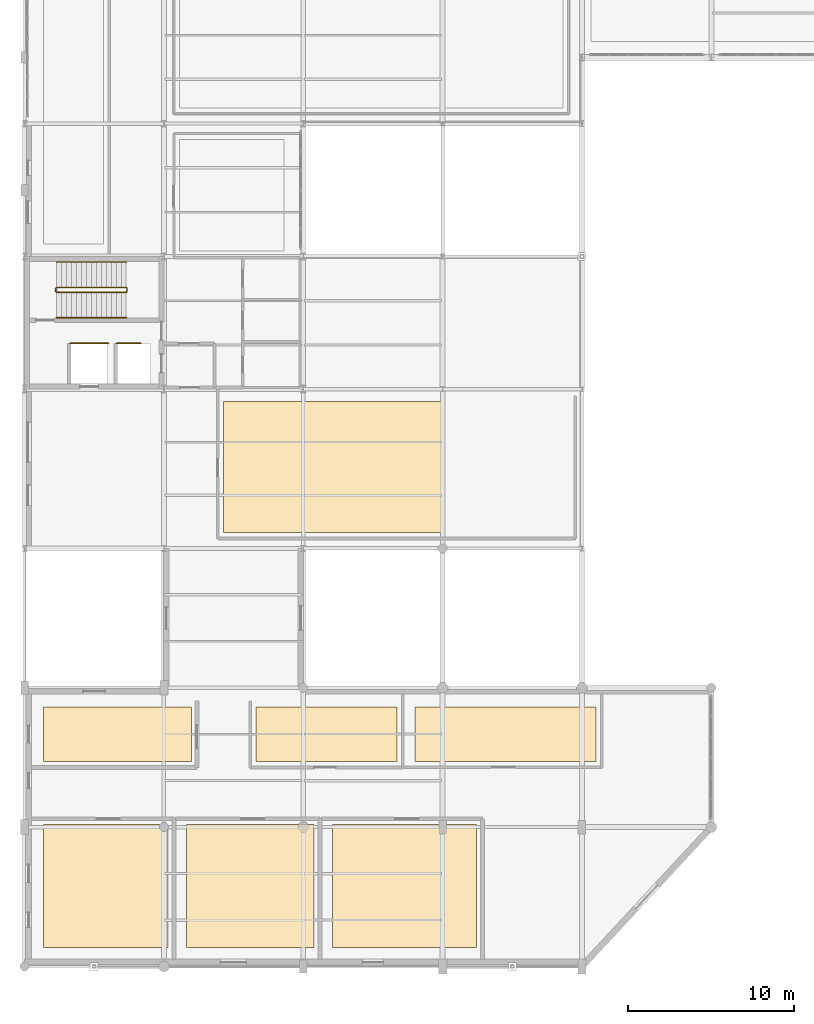
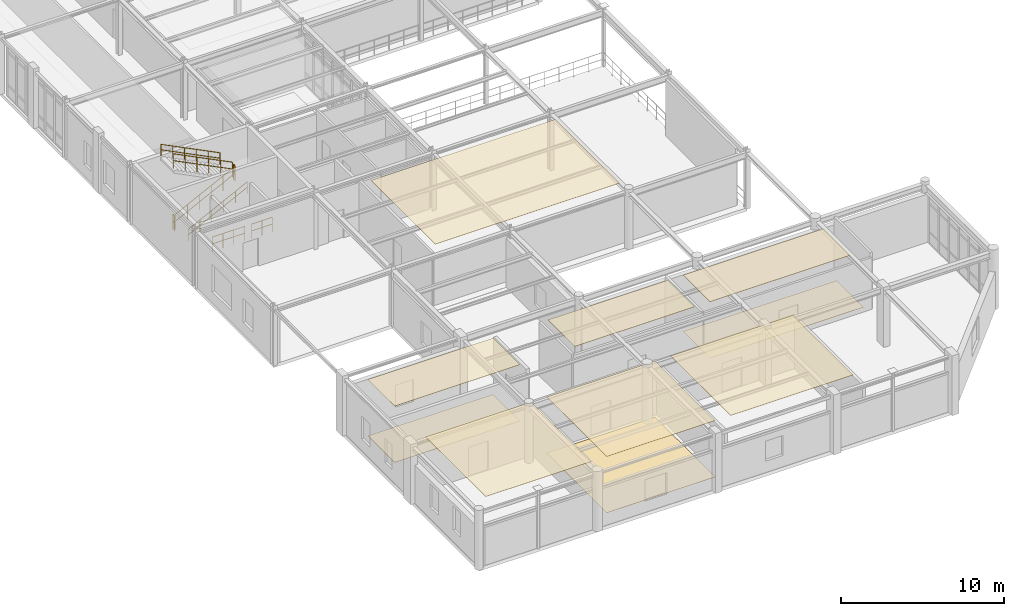
# One storey, part 96 of 106: 10 coverings, 8 railings.
"""IFC4 building model written with IfcOpenShell, lengths in metres."""

from ifc_helpers import new_model, si_unit, derived_unit, direction, frame, origin, origin_2d, place, context, subcontext, project, spatial, polyline, circle, outline, extrude, material, layer, layer_set, type_object, element, save


model = new_model("IFC4")

# Units and contexts
model_context = context("Model", 3, precision=1e-05, world=origin(), true_north=direction((0.0, 1.0)))
body_context = subcontext(model_context, "Body", "Model", "MODEL_VIEW")
ifc_project = project(units=[si_unit("LENGTHUNIT", "METRE"), si_unit("AREAUNIT", "SQUARE_METRE"), si_unit("VOLUMEUNIT", "CUBIC_METRE"), si_unit("PLANEANGLEUNIT", "RADIAN"), si_unit("MASSUNIT", "GRAM", prefix="KILO"), derived_unit("THERMALTRANSMITTANCEUNIT", [(si_unit("POWERUNIT", "WATT"), 1), (si_unit("AREAUNIT", "SQUARE_METRE"), -1), (si_unit("THERMODYNAMICTEMPERATUREUNIT", "KELVIN"), -1)])], contexts=[model_context])

# Site, building, storey
site_placement = place(None, origin())
site = spatial("IfcSite", under=ifc_project, at=site_placement, CompositionType="ELEMENT")
building_placement = place(site_placement, origin())
building = spatial("IfcBuilding", under=site, at=building_placement, Name="Yasenodar Specialist Clinic", CompositionType="ELEMENT")
storey_placement = place(building_placement, frame((0.0, 0.0, 4.5)))
storey = spatial("IfcBuildingStorey", under=building, at=storey_placement, Name="L01", CompositionType="ELEMENT", Elevation=4.5)

# Coverings
ifc_material_1 = material(Name="Hygienic Acoustic Mineral-Fibre Ceiling")
ifc_layer_1 = layer(ifc_material_1, 0.02490234375)
ifc_layer_set_1 = layer_set([ifc_layer_1], Name="Hygienic Acoustic Mineral-Fibre Ceiling")
covering_type_1 = type_object("IfcCoveringType", Name="COV-CEIL-AC", PredefinedType="CEILING", material=ifc_layer_set_1)
covering_1_placement = place(storey_placement, frame((0.0, 0.0, 4.22509765625)))
element("IfcCovering", 1, at=covering_1_placement, inside=storey, type_object=covering_type_1, Name="L01 Digital X-Ray Room 01 Acoustic Ceiling", PredefinedType="CEILING", context=body_context, shape_type="SweptSolid", body=[
    extrude(outline(polyline([(8.64990234375, 1.14990234375), (1.14990234375, 1.14990234375), (1.14990234375, 8.550048828125), (8.64990234375, 8.550048828125), (8.64990234375, 1.14990234375)])), origin(), (0.0, 0.0, 1.0), 0.02490234375),
])
covering_2_placement = place(storey_placement, frame((0.0, 0.0, 4.22509765625)))
element("IfcCovering", 2, at=covering_2_placement, inside=storey, type_object=covering_type_1, Name="L01 Digital X-Ray Room 02 Acoustic Ceiling", PredefinedType="CEILING", context=body_context, shape_type="SweptSolid", body=[
    extrude(outline(polyline([(17.449951171875, 1.14990234375), (9.75, 1.14990234375), (9.75, 8.550048828125), (17.449951171875, 8.550048828125), (17.449951171875, 1.14990234375)])), origin(), (0.0, 0.0, 1.0), 0.02490234375),
])
covering_3_placement = place(storey_placement, frame((0.0, 0.0, 4.22509765625)))
element("IfcCovering", 3, at=covering_3_placement, inside=storey, type_object=covering_type_1, Name="L01 Fluoroscopy Suite Acoustic Ceiling", PredefinedType="CEILING", context=body_context, shape_type="SweptSolid", body=[
    extrude(outline(polyline([(27.25, 1.14990234375), (18.550048828125, 1.14990234375), (18.550048828125, 8.550048828125), (27.25, 8.550048828125), (27.25, 1.14990234375)])), origin(), (0.0, 0.0, 1.0), 0.02490234375),
])
covering_4_placement = place(storey_placement, frame((0.0, 0.0, 4.22509765625)))
element("IfcCovering", 4, at=covering_4_placement, inside=storey, type_object=covering_type_1, Name="L01 Breast Mammography Suite Acoustic Ceiling", PredefinedType="CEILING", context=body_context, shape_type="SweptSolid", body=[
    extrude(outline(polyline([(10.050048828125, 12.35009765625), (1.14990234375, 12.35009765625), (1.14990234375, 15.64990234375), (10.050048828125, 15.64990234375), (10.050048828125, 12.35009765625)])), origin(), (0.0, 0.0, 1.0), 0.02490234375),
])
covering_5_placement = place(storey_placement, frame((0.0, 0.0, 4.22509765625)))
element("IfcCovering", 5, at=covering_5_placement, inside=storey, type_object=covering_type_1, Name="L01 Doppler Ultrasound Suite 01 Acoustic Ceiling", PredefinedType="CEILING", context=body_context, shape_type="SweptSolid", body=[
    extrude(outline(polyline([(22.449951171875, 12.35009765625), (13.949951171875, 12.35009765625), (13.949951171875, 15.64990234375), (22.449951171875, 15.64990234375), (22.449951171875, 12.35009765625)])), origin(), (0.0, 0.0, 1.0), 0.02490234375),
])
covering_6_placement = place(storey_placement, frame((0.0, 0.0, 4.22509765625)))
element("IfcCovering", 6, at=covering_6_placement, inside=storey, type_object=covering_type_1, Name="L01 Doppler Ultrasound Suite 02 Acoustic Ceiling", PredefinedType="CEILING", context=body_context, shape_type="SweptSolid", body=[
    extrude(outline(polyline([(23.550048828125, 12.35009765625), (23.550048828125, 15.64990234375), (33.5, 15.64990234375), (33.5, 12.35009765625), (23.550048828125, 12.35009765625)])), origin(), (0.0, 0.0, 1.0), 0.02490234375),
])
covering_7_placement = place(storey_placement, frame((0.0, 0.0, 4.22509765625)))
element("IfcCovering", 7, at=covering_7_placement, inside=storey, type_object=covering_type_1, Name="L01 Vascular Outpatient Clinic Acoustic Ceiling", PredefinedType="CEILING", context=body_context, shape_type="SweptSolid", body=[
    extrude(outline(polyline([(12.0, 26.14990234375), (12.0, 34.050048828125), (25.10009765625, 34.050048828125), (25.10009765625, 26.14990234375), (12.0, 26.14990234375)])), origin(), (0.0, 0.0, 1.0), 0.02490234375),
])
ifc_material_2 = material(Name="Seamless Epoxy Terrazzo Clinical Flooring")
ifc_layer_2 = layer(ifc_material_2, 0.02001953125)
ifc_layer_set_2 = layer_set([ifc_layer_2], Name="Seamless Epoxy Terrazzo Clinical Flooring")
covering_type_2 = type_object("IfcCoveringType", Name="COV-FLR-TERR", PredefinedType="FLOORING", material=ifc_layer_set_2)
covering_8_placement = place(storey_placement, origin())
element("IfcCovering", 8, at=covering_8_placement, inside=storey, type_object=covering_type_2, Name="L01 Digital X-Ray Room 02 Terrazzo Flooring", PredefinedType="FLOORING", context=body_context, shape_type="SweptSolid", body=[
    extrude(outline(polyline([(17.449951171875, 1.14990234375), (9.75, 1.14990234375), (9.75, 8.550048828125), (17.449951171875, 8.550048828125), (17.449951171875, 1.14990234375)])), origin(), (0.0, 0.0, 1.0), 0.02001953125),
])
covering_9_placement = place(storey_placement, origin())
element("IfcCovering", 9, at=covering_9_placement, inside=storey, type_object=covering_type_2, Name="L01 Breast Mammography Suite Terrazzo Flooring", PredefinedType="FLOORING", context=body_context, shape_type="SweptSolid", body=[
    extrude(outline(polyline([(10.050048828125, 12.35009765625), (1.14990234375, 12.35009765625), (1.14990234375, 15.64990234375), (10.050048828125, 15.64990234375), (10.050048828125, 12.35009765625)])), origin(), (0.0, 0.0, 1.0), 0.02001953125),
])
covering_10_placement = place(storey_placement, origin())
element("IfcCovering", 10, at=covering_10_placement, inside=storey, type_object=covering_type_2, Name="L01 Doppler Ultrasound Suite 02 Terrazzo Flooring", PredefinedType="FLOORING", context=body_context, shape_type="SweptSolid", body=[
    extrude(outline(polyline([(34.449951171875, 12.35009765625), (23.550048828125, 12.35009765625), (23.550048828125, 15.64990234375), (34.449951171875, 15.64990234375), (34.449951171875, 12.35009765625)])), origin(), (0.0, 0.0, 1.0), 0.02001953125),
])

# Railings
ifc_material_3 = material(Name="Steel S355 Painted Guardrail", Category="steel")
railing_type_1 = type_object("IfcRailingType", Name="RL-GRD-1120", PredefinedType="GUARDRAIL", material=ifc_material_3)
railing_1_placement = place(storey_placement, frame((2.75, 37.56005859375, 0.0)))
element("IfcRailing", 11, at=railing_1_placement, inside=storey, type_object=railing_type_1, Name="L01 Core C1 Lift LF-05 Shaft Guardrail", PredefinedType="GUARDRAIL", context=body_context, shape_type="SweptSolid", body=[
    extrude(circle(Radius=0.02392578125, at=origin_2d()), frame((0.0, 0.0, 1.09619140625), z_axis=(1.0, 0.0, 0.0), x_axis=(0.0, 1.0, 0.0)), (0.0, 0.0, 1.0), 2.300048828125),
    extrude(circle(Radius=0.02392578125, at=origin_2d()), frame((0.0, 0.0, 0.58251953125), z_axis=(1.0, 0.0, 0.0), x_axis=(0.0, 1.0, 0.0)), (0.0, 0.0, 1.0), 2.300048828125),
    extrude(circle(Radius=0.02099609375, at=origin_2d()), origin(), (0.0, 0.0, 1.0), 1.072021484375),
    extrude(circle(Radius=0.02099609375, at=origin_2d()), frame((0.7666015625, 0.0, 0.0)), (0.0, 0.0, 1.0), 1.072021484375),
    extrude(circle(Radius=0.02099609375, at=origin_2d()), frame((1.533447265625, 0.0, 0.0)), (0.0, 0.0, 1.0), 1.072021484375),
    extrude(circle(Radius=0.02099609375, at=origin_2d()), frame((2.300048828125, 0.0, 0.0)), (0.0, 0.0, 1.0), 1.072021484375),
])
railing_2_placement = place(storey_placement, frame((5.550048828125, 37.56005859375, 0.0)))
element("IfcRailing", 12, at=railing_2_placement, inside=storey, type_object=railing_type_1, Name="L01 Core C1 Lift LF-01 Shaft Guardrail", PredefinedType="GUARDRAIL", context=body_context, shape_type="SweptSolid", body=[
    extrude(circle(Radius=0.02392578125, at=origin_2d()), frame((0.0, 0.0, 1.09619140625), z_axis=(1.0, 0.0, 0.0), x_axis=(0.0, 1.0, 0.0)), (0.0, 0.0, 1.0), 1.4599609375),
    extrude(circle(Radius=0.02392578125, at=origin_2d()), frame((0.0, 0.0, 0.58251953125), z_axis=(1.0, 0.0, 0.0), x_axis=(0.0, 1.0, 0.0)), (0.0, 0.0, 1.0), 1.4599609375),
    extrude(circle(Radius=0.02099609375, at=origin_2d()), origin(), (0.0, 0.0, 1.0), 1.072021484375),
    extrude(circle(Radius=0.02099609375, at=origin_2d()), frame((0.72998046875, 0.0, 0.0)), (0.0, 0.0, 1.0), 1.072021484375),
    extrude(circle(Radius=0.02099609375, at=origin_2d()), frame((1.4599609375, 0.0, 0.0)), (0.0, 0.0, 1.0), 1.072021484375),
])
ifc_material_4 = material(Name="Steel S355 Painted Stair Guardrail", Category="steel")
railing_type_2 = type_object("IfcRailingType", Name="RL-ST-GRD", PredefinedType="GUARDRAIL", material=ifc_material_4)
railing_3_placement = place(storey_placement, frame((1.929931640625, 40.639892578125, 0.14990234375)))
element("IfcRailing", 13, at=railing_3_placement, inside=storey, type_object=railing_type_2, Name="L01 ST-01 stair guard 1", PredefinedType="GUARDRAIL", context=body_context, shape_type="SweptSolid", body=[
    extrude(circle(Radius=0.02392578125, at=origin_2d()), frame((0.0, 0.0, 1.09619140625), z_axis=(0.894416792377, 0.0, 0.447234392142), x_axis=(0.0, 1.0, 0.0)), (0.0, 0.0, 1.0), 4.69580078125),
    extrude(circle(Radius=0.02392578125, at=origin_2d()), frame((0.0, 0.0, 0.58251953125), z_axis=(0.894416792377, 0.0, 0.447234392142), x_axis=(0.0, 1.0, 0.0)), (0.0, 0.0, 1.0), 4.69580078125),
    extrude(circle(Radius=0.02099609375, at=origin_2d()), origin(), (0.0, 0.0, 1.0), 1.072021484375),
    extrude(circle(Radius=0.02099609375, at=origin_2d()), frame((0.840087890625, 0.0, 0.419921875)), (0.0, 0.0, 1.0), 1.072021484375),
    extrude(circle(Radius=0.02099609375, at=origin_2d()), frame((1.679931640625, 0.0, 0.840087890625)), (0.0, 0.0, 1.0), 1.072021484375),
    extrude(circle(Radius=0.02099609375, at=origin_2d()), frame((2.52001953125, 0.0, 1.260009765625)), (0.0, 0.0, 1.0), 1.072021484375),
    extrude(circle(Radius=0.02099609375, at=origin_2d()), frame((3.35986328125, 0.0, 1.68017578125)), (0.0, 0.0, 1.0), 1.072021484375),
    extrude(circle(Radius=0.02099609375, at=origin_2d()), frame((4.199951171875, 0.0, 2.10009765625)), (0.0, 0.0, 1.0), 1.072021484375),
])
railing_4_placement = place(storey_placement, frame((6.179931640625, 40.68994140625, 2.25)))
element("IfcRailing", 14, at=railing_4_placement, inside=storey, type_object=railing_type_2, Name="L01 ST-01 stair guard 2", PredefinedType="GUARDRAIL", context=body_context, shape_type="SweptSolid", body=[
    extrude(circle(Radius=0.02392578125, at=origin_2d()), frame((0.0, 0.0, 1.09619140625), z_axis=(0.0, 1.0, 0.0), x_axis=(-1.0, 0.0, 0.0)), (0.0, 0.0, 1.0), 0.18994140625),
    extrude(circle(Radius=0.02392578125, at=origin_2d()), frame((0.0, 0.0, 0.58251953125), z_axis=(0.0, 1.0, 0.0), x_axis=(-1.0, 0.0, 0.0)), (0.0, 0.0, 1.0), 0.18994140625),
    extrude(circle(Radius=0.02099609375, at=origin_2d()), origin(), (0.0, 0.0, 1.0), 1.072021484375),
    extrude(circle(Radius=0.02099609375, at=origin_2d()), frame((0.0, 0.18994140625, 0.0)), (0.0, 0.0, 1.0), 1.072021484375),
])
railing_5_placement = place(storey_placement, frame((6.1298828125, 40.929931640625, 2.39990234375)))
element("IfcRailing", 15, at=railing_5_placement, inside=storey, type_object=railing_type_2, Name="L01 ST-01 stair guard 3", PredefinedType="GUARDRAIL", context=body_context, shape_type="SweptSolid", body=[
    extrude(circle(Radius=0.02392578125, at=origin_2d()), frame((0.0, 0.0, 1.09619140625), z_axis=(-0.894416792377, 0.0, 0.447234392142), x_axis=(0.0, -1.0, 0.0)), (0.0, 0.0, 1.0), 4.69580078125),
    extrude(circle(Radius=0.02392578125, at=origin_2d()), frame((0.0, 0.0, 0.58251953125), z_axis=(-0.894416792377, 0.0, 0.447234392142), x_axis=(0.0, -1.0, 0.0)), (0.0, 0.0, 1.0), 4.69580078125),
    extrude(circle(Radius=0.02099609375, at=origin_2d()), origin(), (0.0, 0.0, 1.0), 1.072021484375),
    extrude(circle(Radius=0.02099609375, at=origin_2d()), frame((-0.840087890625, 0.0, 0.419921875)), (0.0, 0.0, 1.0), 1.072021484375),
    extrude(circle(Radius=0.02099609375, at=origin_2d()), frame((-1.679931640625, 0.0, 0.840087890625)), (0.0, 0.0, 1.0), 1.072021484375),
    extrude(circle(Radius=0.02099609375, at=origin_2d()), frame((-2.52001953125, 0.0, 1.260009765625)), (0.0, 0.0, 1.0), 1.072021484375),
    extrude(circle(Radius=0.02099609375, at=origin_2d()), frame((-3.35986328125, 0.0, 1.68017578125)), (0.0, 0.0, 1.0), 1.072021484375),
    extrude(circle(Radius=0.02099609375, at=origin_2d()), frame((-4.199951171875, 0.0, 2.10009765625)), (0.0, 0.0, 1.0), 1.072021484375),
])
railing_6_placement = place(storey_placement, frame((1.8798828125, 40.68994140625, 0.0)))
element("IfcRailing", 16, at=railing_6_placement, inside=storey, type_object=railing_type_2, Name="L01 ST-01 stair guard 4", PredefinedType="GUARDRAIL", context=body_context, shape_type="SweptSolid", body=[
    extrude(circle(Radius=0.02392578125, at=origin_2d()), frame((0.0, 0.0, 1.09619140625), z_axis=(0.0, 1.0, 0.0), x_axis=(-1.0, 0.0, 0.0)), (0.0, 0.0, 1.0), 0.18994140625),
    extrude(circle(Radius=0.02392578125, at=origin_2d()), frame((0.0, 0.0, 0.58251953125), z_axis=(0.0, 1.0, 0.0), x_axis=(-1.0, 0.0, 0.0)), (0.0, 0.0, 1.0), 0.18994140625),
    extrude(circle(Radius=0.02099609375, at=origin_2d()), origin(), (0.0, 0.0, 1.0), 1.072021484375),
    extrude(circle(Radius=0.02099609375, at=origin_2d()), frame((0.0, 0.18994140625, 0.0)), (0.0, 0.0, 1.0), 1.072021484375),
])
ifc_material_5 = material(Name="Brushed Stainless Steel Handrail", Category="steel")
railing_type_3 = type_object("IfcRailingType", Name="RL-ST-HND", PredefinedType="HANDRAIL", material=ifc_material_5)
railing_7_placement = place(storey_placement, frame((1.929931640625, 39.110107421875, 0.14990234375)))
element("IfcRailing", 17, at=railing_7_placement, inside=storey, type_object=railing_type_3, Name="L01 ST-01 stair handrail 1", PredefinedType="HANDRAIL", context=body_context, shape_type="SweptSolid", body=[
    extrude(circle(Radius=0.02392578125, at=origin_2d()), frame((0.0, 0.0, 0.8759765625), z_axis=(0.894416792377, 0.0, 0.447234392142), x_axis=(0.0, 1.0, 0.0)), (0.0, 0.0, 1.0), 4.69580078125),
    extrude(circle(Radius=0.02392578125, at=origin_2d()), frame((0.0, 0.0, 0.468017578125), z_axis=(0.894416792377, 0.0, 0.447234392142), x_axis=(0.0, 1.0, 0.0)), (0.0, 0.0, 1.0), 4.69580078125),
    extrude(circle(Radius=0.02099609375, at=origin_2d()), origin(), (0.0, 0.0, 1.0), 0.851806640625),
    extrude(circle(Radius=0.02099609375, at=origin_2d()), frame((0.840087890625, 0.0, 0.419921875)), (0.0, 0.0, 1.0), 0.851806640625),
    extrude(circle(Radius=0.02099609375, at=origin_2d()), frame((1.679931640625, 0.0, 0.840087890625)), (0.0, 0.0, 1.0), 0.851806640625),
    extrude(circle(Radius=0.02099609375, at=origin_2d()), frame((2.52001953125, 0.0, 1.260009765625)), (0.0, 0.0, 1.0), 0.851806640625),
    extrude(circle(Radius=0.02099609375, at=origin_2d()), frame((3.35986328125, 0.0, 1.68017578125)), (0.0, 0.0, 1.0), 0.851806640625),
    extrude(circle(Radius=0.02099609375, at=origin_2d()), frame((4.199951171875, 0.0, 2.10009765625)), (0.0, 0.0, 1.0), 0.851806640625),
])
railing_8_placement = place(storey_placement, frame((6.1298828125, 42.4599609375, 2.39990234375)))
element("IfcRailing", 18, at=railing_8_placement, inside=storey, type_object=railing_type_3, Name="L01 ST-01 stair handrail 2", PredefinedType="HANDRAIL", context=body_context, shape_type="SweptSolid", body=[
    extrude(circle(Radius=0.02392578125, at=origin_2d()), frame((0.0, 0.0, 0.8759765625), z_axis=(-0.894416792377, 0.0, 0.447234392142), x_axis=(0.0, -1.0, 0.0)), (0.0, 0.0, 1.0), 4.69580078125),
    extrude(circle(Radius=0.02392578125, at=origin_2d()), frame((0.0, 0.0, 0.468017578125), z_axis=(-0.894416792377, 0.0, 0.447234392142), x_axis=(0.0, -1.0, 0.0)), (0.0, 0.0, 1.0), 4.69580078125),
    extrude(circle(Radius=0.02099609375, at=origin_2d()), origin(), (0.0, 0.0, 1.0), 0.851806640625),
    extrude(circle(Radius=0.02099609375, at=origin_2d()), frame((-0.840087890625, 0.0, 0.419921875)), (0.0, 0.0, 1.0), 0.851806640625),
    extrude(circle(Radius=0.02099609375, at=origin_2d()), frame((-1.679931640625, 0.0, 0.840087890625)), (0.0, 0.0, 1.0), 0.851806640625),
    extrude(circle(Radius=0.02099609375, at=origin_2d()), frame((-2.52001953125, 0.0, 1.260009765625)), (0.0, 0.0, 1.0), 0.851806640625),
    extrude(circle(Radius=0.02099609375, at=origin_2d()), frame((-3.35986328125, 0.0, 1.68017578125)), (0.0, 0.0, 1.0), 0.851806640625),
    extrude(circle(Radius=0.02099609375, at=origin_2d()), frame((-4.199951171875, 0.0, 2.10009765625)), (0.0, 0.0, 1.0), 0.851806640625),
])

save(model, "model.ifc")
